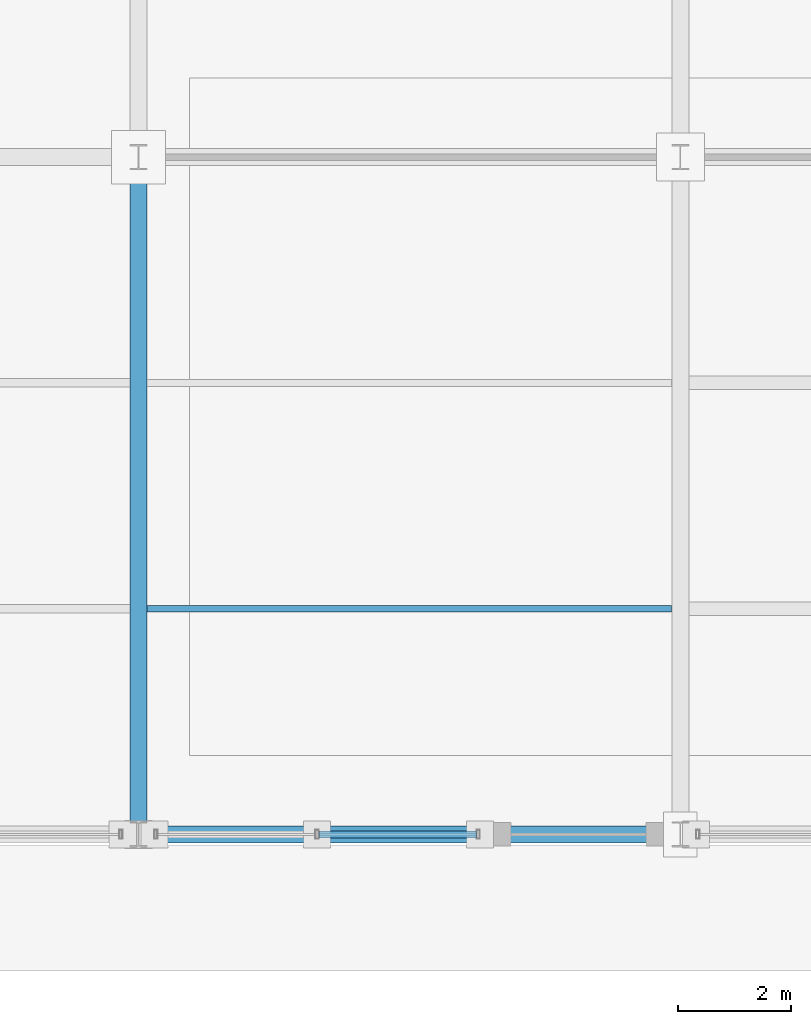
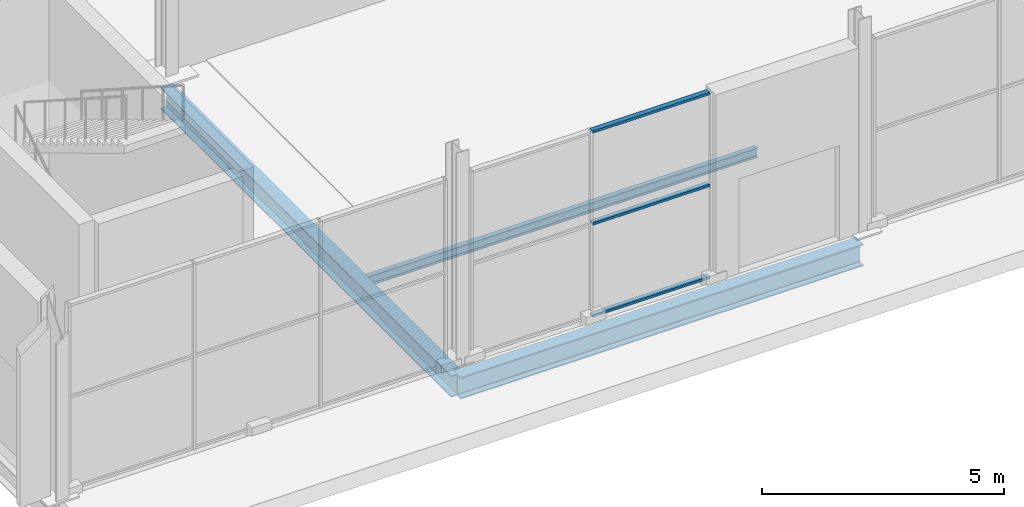
# One storey, part 29 of 196: 3 beams, 3 members, 1 element without a shape of its own.
"""IFC4 building model written with IfcOpenShell, lengths in metres."""

from ifc_helpers import new_model, si_unit, direction, frame, origin, origin_2d, place, context, subcontext, project, spatial, hollow_rectangle, i_section, extrude, material, material_profile, profile_set, type_object, element, aggregate, save


model = new_model("IFC4")

# Units and contexts
model_context = context("Model", 3, precision=1e-05, world=origin(), true_north=direction((0.0, 1.0)))
body_context = subcontext(model_context, "Body", "Model", "MODEL_VIEW")
ifc_project = project(units=[si_unit("LENGTHUNIT", "METRE"), si_unit("AREAUNIT", "SQUARE_METRE"), si_unit("VOLUMEUNIT", "CUBIC_METRE"), si_unit("PLANEANGLEUNIT", "RADIAN"), si_unit("MASSUNIT", "GRAM", prefix="KILO")], contexts=[model_context])

# Site, building, storey
site_placement = place(None, origin())
site = spatial("IfcSite", under=ifc_project, at=site_placement, CompositionType="ELEMENT")
building_placement = place(site_placement, origin())
building = spatial("IfcBuilding", under=site, at=building_placement, Name="Merenkruunu Market Hall", CompositionType="ELEMENT")
storey_placement = place(building_placement, origin())
storey = spatial("IfcBuildingStorey", under=building, at=storey_placement, Name="L00", CompositionType="ELEMENT", Elevation=0.0)

# Curtain wall, members
ifc_material_1 = material(Name="Powder-coated aluminium", Category="aluminium")
curtain_wall_type = type_object("IfcCurtainWallType", Name="Glazed Curtain Wall CW06", PredefinedType="USERDEFINED", material=ifc_material_1)
curtain_wall_placement = place(storey_placement, origin())
curtain_wall = element("IfcCurtainWall", 1, at=curtain_wall_placement, inside=storey, type_object=curtain_wall_type, Name="CW-L00-CWM01-022", ObjectType="GLAZED_FACADE", PredefinedType="USERDEFINED")
ifc_material_profile_1 = material_profile(ifc_material_1, hollow_rectangle(XDim=0.06005859375, YDim=0.125, WallThickness=0.00390625, at=origin_2d()), Name="ALU 60x125x4")
ifc_profile_set_1 = profile_set([ifc_material_profile_1], Name="Powder-coated aluminium")
member_type = type_object("IfcMemberType", Name="Curtain Wall Transom CWT01", PredefinedType="USERDEFINED", material=ifc_profile_set_1)
member_1_placement = place(storey_placement, frame((15.590087890625, 15.60009765625, 0.030029296875), z_axis=(-1.0, 0.0, 0.0), x_axis=(0.0, 0.0, 1.0)))
member_1 = element("IfcMember", 2, at=member_1_placement, type_object=member_type, Name="CW06 transom 1.1", ObjectType="TRANSOM", PredefinedType="USERDEFINED", context=body_context, shape_type="SweptSolid", body=[
    extrude(hollow_rectangle(XDim=0.06005859375, YDim=0.125, WallThickness=0.00390625, at=origin_2d()), origin(), (0.0, 0.0, 1.0), 2.795166015625),
])
member_2_placement = place(storey_placement, frame((15.590087890625, 15.60009765625, 2.35009765625), z_axis=(-1.0, 0.0, 0.0), x_axis=(0.0, 0.0, 1.0)))
member_2 = element("IfcMember", 3, at=member_2_placement, type_object=member_type, Name="CW06 transom 1.2", ObjectType="TRANSOM", PredefinedType="USERDEFINED", context=body_context, shape_type="SweptSolid", body=[
    extrude(hollow_rectangle(XDim=0.06005859375, YDim=0.125, WallThickness=0.00390625, at=origin_2d()), origin(), (0.0, 0.0, 1.0), 2.795166015625),
])
member_3_placement = place(storey_placement, frame((15.590087890625, 15.60009765625, 4.669921875), z_axis=(-1.0, 0.0, 0.0), x_axis=(0.0, 0.0, 1.0)))
member_3 = element("IfcMember", 4, at=member_3_placement, type_object=member_type, Name="CW06 transom 1.3", ObjectType="TRANSOM", PredefinedType="USERDEFINED", context=body_context, shape_type="SweptSolid", body=[
    extrude(hollow_rectangle(XDim=0.06005859375, YDim=0.125, WallThickness=0.00390625, at=origin_2d()), origin(), (0.0, 0.0, 1.0), 2.795166015625),
])
aggregate(curtain_wall, [member_1, member_2, member_3])

# Beams
ifc_material_2 = material(Name="Steel S355J2", Category="steel")
ifc_material_profile_2 = material_profile(ifc_material_2, i_section(OverallWidth=0.300048828125, OverallDepth=0.550048828125, WebThickness=0.014892578125, FlangeThickness=0.029052734375, FilletRadius=0.027099609375, at=origin_2d()), Name="HEB 550")
ifc_profile_set_2 = profile_set([ifc_material_profile_2], Name="Steel S355J2")
beam_type_1 = type_object("IfcBeamType", Name="Primary Floor Girder B02", PredefinedType="BEAM", material=ifc_profile_set_2)
beam_1_placement = place(storey_placement, frame((9.60009765625, 15.60009765625, -0.614990234375), z_axis=(1.0, 0.0, 0.0), x_axis=(0.0, 1.0, 0.0)))
element("IfcBeam", 5, at=beam_1_placement, inside=storey, type_object=beam_type_1, Name="BM-L00-B02-0010", PredefinedType="BEAM", context=body_context, shape_type="SweptSolid", body=[
    extrude(i_section(OverallWidth=0.300048828125, OverallDepth=0.550048828125, WebThickness=0.014892578125, FlangeThickness=0.029052734375, FilletRadius=0.027099609375, at=origin_2d()), origin(), (0.0, 0.0, 1.0), 9.599853515625),
])
ifc_material_profile_3 = material_profile(ifc_material_2, i_section(OverallWidth=0.300048828125, OverallDepth=0.5400390625, WebThickness=0.012451171875, FlangeThickness=0.02392578125, FilletRadius=0.027099609375, at=origin_2d()), Name="HEA 550")
ifc_profile_set_3 = profile_set([ifc_material_profile_3], Name="Steel S355J2")
beam_type_2 = type_object("IfcBeamType", Name="Primary Floor Girder B06", PredefinedType="BEAM", material=ifc_profile_set_3)
beam_2_placement = place(storey_placement, frame((9.60009765625, 15.60009765625, -0.610107421875), z_axis=(0.0, 1.0, 0.0), x_axis=(-1.0, 0.0, 0.0)))
element("IfcBeam", 6, at=beam_2_placement, inside=storey, type_object=beam_type_2, Name="BM-L00-B06-0145", PredefinedType="BEAM", context=body_context, shape_type="SweptSolid", body=[
    extrude(i_section(OverallWidth=0.300048828125, OverallDepth=0.5400390625, WebThickness=0.012451171875, FlangeThickness=0.02392578125, FilletRadius=0.027099609375, at=origin_2d()), origin(), (0.0, 0.0, 1.0), 12.0),
])
ifc_material_profile_4 = material_profile(ifc_material_2, i_section(OverallWidth=0.1201171875, OverallDepth=0.239990234375, WebThickness=0.006103515625, FlangeThickness=0.009765625, FilletRadius=0.014892578125, at=origin_2d()), Name="IPE 240")
ifc_profile_set_4 = profile_set([ifc_material_profile_4], Name="Steel S355J2")
beam_type_3 = type_object("IfcBeamType", Name="Secondary Floor Joist J05", PredefinedType="JOIST", material=ifc_profile_set_4)
beam_3_placement = place(storey_placement, frame((9.7529296875, 19.60009765625, -0.4599609375), z_axis=(1.0, 0.0, 0.0), x_axis=(0.0, 1.0, 0.0)))
element("IfcBeam", 7, at=beam_3_placement, inside=storey, type_object=beam_type_3, Name="BM-L00-J05-0290", PredefinedType="JOIST", context=body_context, shape_type="SweptSolid", body=[
    extrude(i_section(OverallWidth=0.1201171875, OverallDepth=0.239990234375, WebThickness=0.006103515625, FlangeThickness=0.009765625, FilletRadius=0.014892578125, at=origin_2d()), origin(), (0.0, 0.0, 1.0), 9.294189453125),
])

save(model, "model.ifc")
